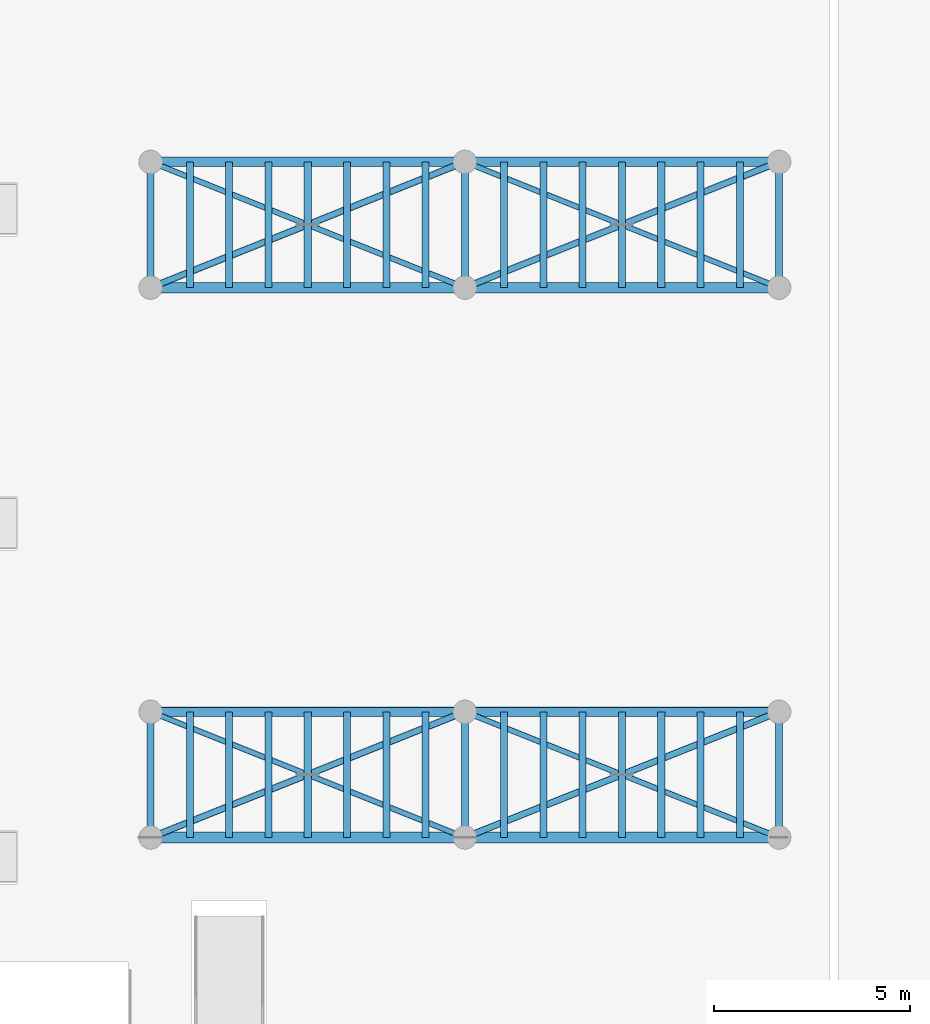
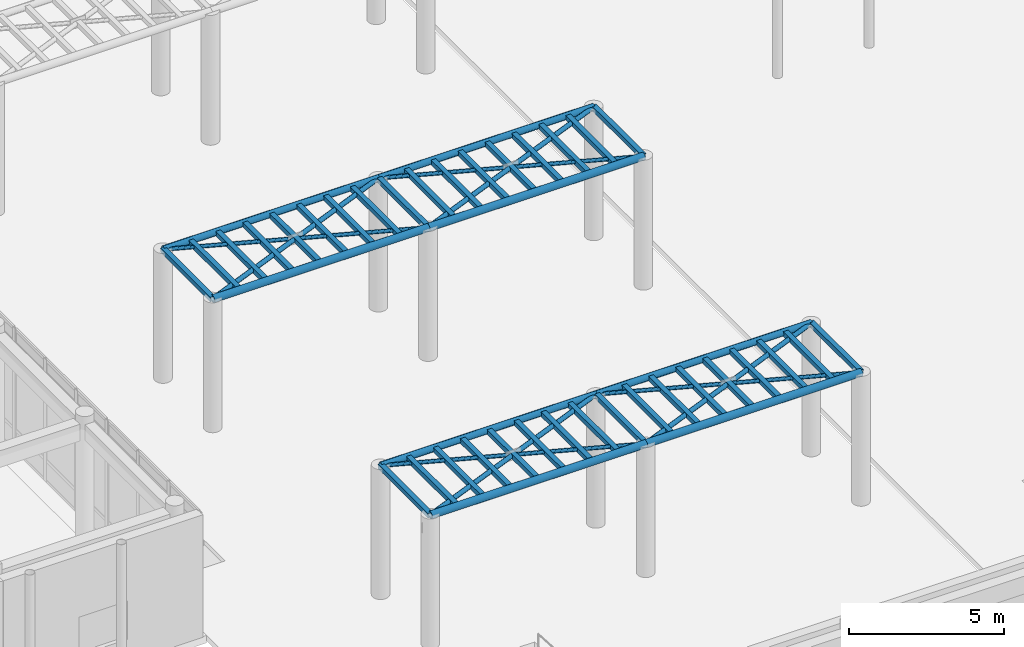
# One storey, part 26 of 121: 54 members.
"""IFC4 building model written with IfcOpenShell, lengths in metres."""

import ifcopenshell
import ifcopenshell.guid

model = None  # the IFC model being written
_history = None  # IfcOwnerHistory: only IFC2X3 demands one
_inside = {}  # id of a spatial element -> (the spatial element, [elements in it])
_under = {}  # id of a project, library or spatial element -> (it, [spatial elements below it])
_declared = {}  # id of a project -> (the project, [libraries it declares])
_typed = {}  # id of a type object -> (the type object, [elements of that type])
_made_of = {}  # id of a material, layer set ... -> (it, [elements and type objects made of it])


def new_model(schema):
    """Start an empty IFC model of exactly this schema.

    Asked for "IFC4X3", IfcOpenShell would pick the latest addendum, in which some entities
    have other attributes; the version numbers below select the first issue.
    IFC2X3 requires an IfcOwnerHistory on every rooted entity: one is made here for all.
    """
    global model, _history
    if schema == "IFC4X3":
        model = ifcopenshell.file(schema_version=(4, 3, 0, 0))
    else:
        model = ifcopenshell.file(schema=schema)
    _inside.clear()
    _under.clear()
    _declared.clear()
    _typed.clear()
    _made_of.clear()
    _history = None
    if model.schema == "IFC2X3":
        org = make("IfcOrganization", Name="unknown")
        user = make(
            "IfcPersonAndOrganization",
            ThePerson=make("IfcPerson", FamilyName="unknown"),
            TheOrganization=org,
        )
        app = make(
            "IfcApplication",
            ApplicationDeveloper=org,
            Version="unknown",
            ApplicationFullName="unknown",
            ApplicationIdentifier="unknown",
        )
        _history = make(
            "IfcOwnerHistory",
            OwningUser=user,
            OwningApplication=app,
            ChangeAction="ADDED",
            CreationDate=0,
        )
    return model


def make(cls, **values):
    """One entity of the class cls with the attributes given. An attribute that is None is left unset."""
    return model.create_entity(
        cls, **{name: value for name, value in values.items() if value is not None}
    )


def rooted(cls, **values):
    """An entity with a GlobalId (a new one), such as an element, a storey or a relation."""
    return make(cls, GlobalId=ifcopenshell.guid.new(), OwnerHistory=_history, **values)


def si_unit(unit_type, name, prefix=None):
    """IfcSIUnit, for example si_unit("LENGTHUNIT", "METRE", prefix="MILLI")."""
    return make("IfcSIUnit", UnitType=unit_type, Prefix=prefix, Name=name)


def assignment(units):
    """IfcUnitAssignment: the units of a project."""
    return None if units is None else make("IfcUnitAssignment", Units=units)


def point(xyz):
    """IfcCartesianPoint."""
    return None if xyz is None else make("IfcCartesianPoint", Coordinates=xyz)


def direction(xyz):
    """IfcDirection."""
    return None if xyz is None else make("IfcDirection", DirectionRatios=xyz)


def frame(location, z_axis=None, x_axis=None):
    """IfcAxis2Placement3D, a coordinate frame: its origin and axes. An axis left out is left unset."""
    return make(
        "IfcAxis2Placement3D",
        Location=point(location),
        Axis=direction(z_axis),
        RefDirection=direction(x_axis),
    )


def frame_2d(location, x_axis=None):
    """IfcAxis2Placement2D, a coordinate frame in the plane: its origin and x axis."""
    return make(
        "IfcAxis2Placement2D", Location=point(location), RefDirection=direction(x_axis)
    )


def origin():
    """The frame at (0, 0, 0) with its axes left unset."""
    return frame((0.0, 0.0, 0.0))


def origin_2d():
    """The frame at (0, 0) in the plane with its x axis left unset."""
    return frame_2d((0.0, 0.0))


def place(relative_to, where):
    """IfcLocalPlacement: puts the frame where relative to a parent placement (None: the world)."""
    return make(
        "IfcLocalPlacement", PlacementRelTo=relative_to, RelativePlacement=where
    )


def context(
    kind, dimensions, precision=None, world=None, true_north=None, identifier=None
):
    """IfcGeometricRepresentationContext, for example the 3D "Model" context."""
    return make(
        "IfcGeometricRepresentationContext",
        ContextIdentifier=identifier,
        ContextType=kind,
        CoordinateSpaceDimension=dimensions,
        Precision=precision,
        WorldCoordinateSystem=world,
        TrueNorth=true_north,
    )


def subcontext(parent, identifier, kind, view, scale=None):
    """IfcGeometricRepresentationSubContext, for example "Body" below "Model"."""
    return make(
        "IfcGeometricRepresentationSubContext",
        ContextIdentifier=identifier,
        ContextType=kind,
        ParentContext=parent,
        TargetScale=scale,
        TargetView=view,
    )


def project(units=None, contexts=None):
    """IfcProject with its units and contexts."""
    return rooted(
        "IfcProject",
        Name="project",
        RepresentationContexts=contexts,
        UnitsInContext=assignment(units),
    )


def spatial(cls, under=None, at=None, **own):
    """A site, building, storey or space (cls), placed at a placement, below another one or the project."""
    s = rooted(cls, ObjectPlacement=at, **own)
    if under is not None:
        _under.setdefault(under.id(), (under, []))[1].append(s)
    return s


def profile(cls, at=None, kind="AREA", **sizes):
    """A parametric profile (cls). Its sizes go by their IFC names, for example OverallWidth=200.0."""
    return make(cls, ProfileType=kind, Position=at, **sizes)


def hollow_rectangle(**sizes):
    """IfcRectangleHollowProfileDef."""
    return profile("IfcRectangleHollowProfileDef", **sizes)


def hollow_circle(**sizes):
    """IfcCircleHollowProfileDef."""
    return profile("IfcCircleHollowProfileDef", **sizes)


def extrude(swept, where, along, depth):
    """IfcExtrudedAreaSolid: the profile swept, set in the frame where, extruded along a direction by depth."""
    return make(
        "IfcExtrudedAreaSolid",
        SweptArea=swept,
        Position=where,
        ExtrudedDirection=direction(along),
        Depth=depth,
    )


def shape(context_of_items, identifier, shape_type, items):
    """IfcShapeRepresentation: the items that make up one representation, for example the "Body"."""
    return make(
        "IfcShapeRepresentation",
        ContextOfItems=context_of_items,
        RepresentationIdentifier=identifier,
        RepresentationType=shape_type,
        Items=items,
    )


def material(Name=None, Category=None):
    """IfcMaterial."""
    return make("IfcMaterial", Name=Name, Category=Category)


def material_profile(
    of_material, cross_section, Name=None, Category=None, Priority=None
):
    """IfcMaterialProfile: a cross section and its material."""
    return make(
        "IfcMaterialProfile",
        Name=Name,
        Material=of_material,
        Profile=cross_section,
        Priority=Priority,
        Category=Category,
    )


def profile_set(profiles, Name=None, composite=None):
    """IfcMaterialProfileSet."""
    return make(
        "IfcMaterialProfileSet",
        Name=Name,
        MaterialProfiles=profiles,
        CompositeProfile=composite,
    )


def made_of(thing, what):
    """Note that an element or type object is made of a material, layer set ...; save() writes the relation."""
    if what is not None:
        _made_of.setdefault(what.id(), (what, []))[1].append(thing)
    return thing


def type_object(cls, material=None, **own):
    """A type object (cls), such as IfcWallType, which elements share."""
    return made_of(rooted(cls, **own), material)


def element(
    cls,
    number,
    at=None,
    inside=None,
    cuts=None,
    type_object=None,
    material=None,
    context=None,
    identifier="Body",
    shape_type=None,
    held_by="IfcProductDefinitionShape",
    body=None,
    shapes=None,
    **own,
):
    """One element of the class cls, such as IfcWall. Its Tag is "e" and its number.

    at: its placement. inside: the storey or other place that contains it. cuts: it is an
    opening in that element (IfcRelVoidsElement). A single representation is given by context,
    identifier, shape_type and body (its items); several are given by shapes. held_by: the class
    of the entity that holds the representations. save() writes the other relations.
    """
    e = rooted(cls, Tag="e%d" % number, ObjectPlacement=at, **own)
    if body is not None:
        shapes = [shape(context, identifier, shape_type, body)]
    if shapes is not None:
        e.Representation = make(held_by, Representations=shapes)
    if inside is not None:
        _inside.setdefault(inside.id(), (inside, []))[1].append(e)
    if cuts is not None:
        rooted(
            "IfcRelVoidsElement", RelatingBuildingElement=cuts, RelatedOpeningElement=e
        )
    if type_object is not None:
        _typed.setdefault(type_object.id(), (type_object, []))[1].append(e)
    return made_of(e, material)


def aggregate(whole, parts):
    """IfcRelAggregates: a whole, such as a stair, and the parts it consists of."""
    return rooted("IfcRelAggregates", RelatingObject=whole, RelatedObjects=parts)


def save(model, path):
    """Write the relations noted so far, then the file.

    IfcRelAggregates (storeys below a building ...), IfcRelContainedInSpatialStructure (elements
    in a storey), IfcRelDefinesByType, IfcRelAssociatesMaterial and IfcRelDeclares: one each for
    every whole, place, type object, material and project.
    """
    for whole, parts in _under.values():
        aggregate(whole, parts)
    for where, things in _inside.values():
        rooted(
            "IfcRelContainedInSpatialStructure",
            RelatedElements=things,
            RelatingStructure=where,
        )
    for kind, things in _typed.values():
        rooted("IfcRelDefinesByType", RelatedObjects=things, RelatingType=kind)
    for what, things in _made_of.values():
        rooted("IfcRelAssociatesMaterial", RelatedObjects=things, RelatingMaterial=what)
    for by, libraries in _declared.values():
        rooted("IfcRelDeclares", RelatingContext=by, RelatedDefinitions=libraries)
    model.write(path)


model = new_model("IFC4")

# Units and contexts
model_context = context("Model", 3, precision=1e-05, world=origin(), true_north=direction((0.0, 1.0)))
body_context = subcontext(model_context, "Body", "Model", "MODEL_VIEW")
ifc_project = project(units=[si_unit("LENGTHUNIT", "METRE"), si_unit("AREAUNIT", "SQUARE_METRE"), si_unit("VOLUMEUNIT", "CUBIC_METRE"), si_unit("PLANEANGLEUNIT", "RADIAN"), si_unit("MASSUNIT", "GRAM", prefix="KILO")], contexts=[model_context])

# Site, building, storey
site_placement = place(None, origin())
site = spatial("IfcSite", under=ifc_project, at=site_placement, CompositionType="ELEMENT")
building_placement = place(site_placement, origin())
building = spatial("IfcBuilding", under=site, at=building_placement, Name="Valcora Specialist Clinic", CompositionType="ELEMENT")
storey_placement = place(building_placement, origin())
storey = spatial("IfcBuildingStorey", under=building, at=storey_placement, Name="L00", CompositionType="ELEMENT", Elevation=0.0)

# Members
ifc_material = material(Name="Steel ASTM A500 Grade C", Category="steel")
ifc_material_profile_1 = material_profile(ifc_material, hollow_circle(Radius=0.1220703125, WallThickness=0.010009765625, at=origin_2d()), Name="ST-CHS-244X10")
ifc_profile_set_1 = profile_set([ifc_material_profile_1], Name="Steel ASTM A500 Grade C")
member_type_1 = type_object("IfcMemberType", Name="TY-MB-GSC244", PredefinedType="CHORD", material=ifc_profile_set_1)
for number, where, z_axis, x_axis, name in (
    (1, (36.0, 37.199951171875, 5.050048828125), (1.0, 0.0, 0.0), (0.0, 1.0, 0.0), "Garden pergola edge chord MB-L00-0789"),
    (2, (44.0, 37.199951171875, 5.050048828125), (1.0, 0.0, 0.0), (0.0, 1.0, 0.0), "Garden pergola edge chord MB-L00-0801"),
    (3, (36.0, 51.199951171875, 5.050048828125), (1.0, 0.0, 0.0), (0.0, 1.0, 0.0), "Garden pergola edge chord MB-L00-0875"),
    (4, (44.0, 51.199951171875, 5.050048828125), (1.0, 0.0, 0.0), (0.0, 1.0, 0.0), "Garden pergola edge chord MB-L00-0887"),
):
    element("IfcMember", number, at=place(storey_placement, frame(where, z_axis=z_axis, x_axis=x_axis)), inside=storey, type_object=member_type_1, Name=name, PredefinedType="CHORD", context=body_context, shape_type="SweptSolid", body=[
        extrude(hollow_circle(Radius=0.1220703125, WallThickness=0.010009765625, at=origin_2d()), origin(), (0.0, 0.0, 1.0), 8.0),
    ])
ifc_material_profile_2 = material_profile(ifc_material, hollow_circle(Radius=0.136474609375, WallThickness=0.011962890625, at=origin_2d()), Name="ST-CHS-273X12")
ifc_profile_set_2 = profile_set([ifc_material_profile_2], Name="Steel ASTM A500 Grade C")
member_type_2 = type_object("IfcMemberType", Name="TY-MB-GSC273", PredefinedType="CHORD", material=ifc_profile_set_2)
for number, where, z_axis, x_axis, name in (
    (5, (36.0, 34.0, 5.050048828125), (1.0, 0.0, 0.0), (0.0, 1.0, 0.0), "Garden pergola main chord MB-L00-0788"),
    (6, (44.0, 34.0, 5.050048828125), (1.0, 0.0, 0.0), (0.0, 1.0, 0.0), "Garden pergola main chord MB-L00-0800"),
    (7, (36.0, 48.0, 5.050048828125), (1.0, 0.0, 0.0), (0.0, 1.0, 0.0), "Garden pergola main chord MB-L00-0874"),
    (8, (44.0, 48.0, 5.050048828125), (1.0, 0.0, 0.0), (0.0, 1.0, 0.0), "Garden pergola main chord MB-L00-0886"),
):
    element("IfcMember", number, at=place(storey_placement, frame(where, z_axis=z_axis, x_axis=x_axis)), inside=storey, type_object=member_type_2, Name=name, PredefinedType="CHORD", context=body_context, shape_type="SweptSolid", body=[
        extrude(hollow_circle(Radius=0.136474609375, WallThickness=0.011962890625, at=origin_2d()), origin(), (0.0, 0.0, 1.0), 8.0),
    ])
ifc_material_profile_3 = material_profile(ifc_material, hollow_circle(Radius=0.070068359375, WallThickness=0.006103515625, at=origin_2d()), Name="ST-CHS-140X6")
ifc_profile_set_3 = profile_set([ifc_material_profile_3], Name="Steel ASTM A500 Grade C")
member_type_3 = type_object("IfcMemberType", Name="TY-MB-GSD140", PredefinedType="BRACE", material=ifc_profile_set_3)
for number, where, z_axis, x_axis, name in (
    (9, (36.0, 37.199951171875, 5.050048828125), (0.92848841534, -0.371361363875, 0.0), (0.371361363875, 0.92848841534, 0.0), "Garden pergola split counter brace A MB-L00-0791"),
    (10, (44.0, 37.199951171875, 5.050048828125), (0.92848841534, -0.371361363875, 0.0), (0.371361363875, 0.92848841534, 0.0), "Garden pergola split counter brace A MB-L00-0803"),
    (11, (36.0, 51.199951171875, 5.050048828125), (0.92848841534, -0.371361363875, 0.0), (0.371361363875, 0.92848841534, 0.0), "Garden pergola split counter brace A MB-L00-0877"),
    (12, (44.0, 51.199951171875, 5.050048828125), (0.92848841534, -0.371361363875, 0.0), (0.371361363875, 0.92848841534, 0.0), "Garden pergola split counter brace A MB-L00-0889"),
    (13, (40.0, 35.60009765625, 5.050048828125), (0.928468874232, -0.37141021739, 0.0), (0.37141021739, 0.928468874232, 0.0), "Garden pergola split counter brace B 169"),
    (14, (48.0, 35.60009765625, 5.050048828125), (0.928468874232, -0.37141021739, 0.0), (0.37141021739, 0.928468874232, 0.0), "Garden pergola split counter brace B 170"),
    (15, (40.0, 49.60009765625, 5.050048828125), (0.928468874232, -0.37141021739, 0.0), (0.37141021739, 0.928468874232, 0.0), "Garden pergola split counter brace B 176"),
    (16, (48.0, 49.60009765625, 5.050048828125), (0.928468874232, -0.37141021739, 0.0), (0.37141021739, 0.928468874232, 0.0), "Garden pergola split counter brace B 177"),
):
    element("IfcMember", number, at=place(storey_placement, frame(where, z_axis=z_axis, x_axis=x_axis)), inside=storey, type_object=member_type_3, Name=name, PredefinedType="BRACE", context=body_context, shape_type="SweptSolid", body=[
        extrude(hollow_circle(Radius=0.070068359375, WallThickness=0.006103515625, at=origin_2d()), origin(), (0.0, 0.0, 1.0), 4.30810546875),
    ])
ifc_material_profile_4 = material_profile(ifc_material, hollow_circle(Radius=0.083984375, WallThickness=0.008056640625, at=origin_2d()), Name="ST-CHS-168X8")
ifc_profile_set_4 = profile_set([ifc_material_profile_4], Name="Steel ASTM A500 Grade C")
member_type_4 = type_object("IfcMemberType", Name="TY-MB-GSD168", PredefinedType="BRACE", material=ifc_profile_set_4)
for number, where, z_axis, x_axis, name in (
    (17, (36.0, 34.0, 5.050048828125), (0.928478645005, 0.371385791018, 0.0), (-0.371385791018, 0.928478645005, 0.0), "Garden pergola plan brace MB-L00-0790"),
    (18, (44.0, 34.0, 5.050048828125), (0.928478645005, 0.371385791018, 0.0), (-0.371385791018, 0.928478645005, 0.0), "Garden pergola plan brace MB-L00-0802"),
    (19, (36.0, 48.0, 5.050048828125), (0.928478645005, 0.371385791018, 0.0), (-0.371385791018, 0.928478645005, 0.0), "Garden pergola plan brace MB-L00-0876"),
    (20, (44.0, 48.0, 5.050048828125), (0.928478645005, 0.371385791018, 0.0), (-0.371385791018, 0.928478645005, 0.0), "Garden pergola plan brace MB-L00-0888"),
):
    element("IfcMember", number, at=place(storey_placement, frame(where, z_axis=z_axis, x_axis=x_axis)), inside=storey, type_object=member_type_4, Name=name, PredefinedType="BRACE", context=body_context, shape_type="SweptSolid", body=[
        extrude(hollow_circle(Radius=0.083984375, WallThickness=0.008056640625, at=origin_2d()), origin(), (0.0, 0.0, 1.0), 8.6162109375),
    ])
ifc_material_profile_5 = material_profile(ifc_material, hollow_rectangle(XDim=0.179931640625, YDim=0.179931640625, WallThickness=0.008056640625, at=origin_2d()), Name="ST-RHS-180X180X8")
ifc_profile_set_5 = profile_set([ifc_material_profile_5], Name="Steel ASTM A500 Grade C")
member_type_5 = type_object("IfcMemberType", Name="TY-MB-PR180", PredefinedType="PURLIN", material=ifc_profile_set_5)
for number, where, z_axis, x_axis, name in (
    (21, (36.0, 34.0, 5.050048828125), (0.0, 1.0, 0.0), (-1.0, 0.0, 0.0), "Garden pergola purlin MB-L00-0792"),
    (22, (37.0, 34.0, 5.050048828125), (0.0, 1.0, 0.0), (-1.0, 0.0, 0.0), "Garden pergola purlin MB-L00-0793"),
    (23, (38.0, 34.0, 5.050048828125), (0.0, 1.0, 0.0), (-1.0, 0.0, 0.0), "Garden pergola purlin MB-L00-0794"),
    (24, (39.0, 34.0, 5.050048828125), (0.0, 1.0, 0.0), (-1.0, 0.0, 0.0), "Garden pergola purlin MB-L00-0795"),
    (25, (40.0, 34.0, 5.050048828125), (0.0, 1.0, 0.0), (-1.0, 0.0, 0.0), "Garden pergola purlin MB-L00-0796"),
    (26, (41.0, 34.0, 5.050048828125), (0.0, 1.0, 0.0), (-1.0, 0.0, 0.0), "Garden pergola purlin MB-L00-0797"),
    (27, (42.0, 34.0, 5.050048828125), (0.0, 1.0, 0.0), (-1.0, 0.0, 0.0), "Garden pergola purlin MB-L00-0798"),
    (28, (43.0, 34.0, 5.050048828125), (0.0, 1.0, 0.0), (-1.0, 0.0, 0.0), "Garden pergola purlin MB-L00-0799"),
    (29, (44.0, 34.0, 5.050048828125), (0.0, 1.0, 0.0), (-1.0, 0.0, 0.0), "Garden pergola purlin MB-L00-0804"),
    (30, (45.0, 34.0, 5.050048828125), (0.0, 1.0, 0.0), (-1.0, 0.0, 0.0), "Garden pergola purlin MB-L00-0805"),
    (31, (46.0, 34.0, 5.050048828125), (0.0, 1.0, 0.0), (-1.0, 0.0, 0.0), "Garden pergola purlin MB-L00-0806"),
    (32, (47.0, 34.0, 5.050048828125), (0.0, 1.0, 0.0), (-1.0, 0.0, 0.0), "Garden pergola purlin MB-L00-0807"),
    (33, (48.0, 34.0, 5.050048828125), (0.0, 1.0, 0.0), (-1.0, 0.0, 0.0), "Garden pergola purlin MB-L00-0808"),
    (34, (49.0, 34.0, 5.050048828125), (0.0, 1.0, 0.0), (-1.0, 0.0, 0.0), "Garden pergola purlin MB-L00-0809"),
    (35, (50.0, 34.0, 5.050048828125), (0.0, 1.0, 0.0), (-1.0, 0.0, 0.0), "Garden pergola purlin MB-L00-0810"),
    (36, (51.0, 34.0, 5.050048828125), (0.0, 1.0, 0.0), (-1.0, 0.0, 0.0), "Garden pergola purlin MB-L00-0811"),
    (37, (52.0, 34.0, 5.050048828125), (0.0, 1.0, 0.0), (-1.0, 0.0, 0.0), "Garden pergola purlin MB-L00-0812"),
    (38, (36.0, 48.0, 5.050048828125), (0.0, 1.0, 0.0), (-1.0, 0.0, 0.0), "Garden pergola purlin MB-L00-0878"),
    (39, (37.0, 48.0, 5.050048828125), (0.0, 1.0, 0.0), (-1.0, 0.0, 0.0), "Garden pergola purlin MB-L00-0879"),
    (40, (38.0, 48.0, 5.050048828125), (0.0, 1.0, 0.0), (-1.0, 0.0, 0.0), "Garden pergola purlin MB-L00-0880"),
    (41, (39.0, 48.0, 5.050048828125), (0.0, 1.0, 0.0), (-1.0, 0.0, 0.0), "Garden pergola purlin MB-L00-0881"),
    (42, (40.0, 48.0, 5.050048828125), (0.0, 1.0, 0.0), (-1.0, 0.0, 0.0), "Garden pergola purlin MB-L00-0882"),
    (43, (41.0, 48.0, 5.050048828125), (0.0, 1.0, 0.0), (-1.0, 0.0, 0.0), "Garden pergola purlin MB-L00-0883"),
    (44, (42.0, 48.0, 5.050048828125), (0.0, 1.0, 0.0), (-1.0, 0.0, 0.0), "Garden pergola purlin MB-L00-0884"),
    (45, (43.0, 48.0, 5.050048828125), (0.0, 1.0, 0.0), (-1.0, 0.0, 0.0), "Garden pergola purlin MB-L00-0885"),
    (46, (44.0, 48.0, 5.050048828125), (0.0, 1.0, 0.0), (-1.0, 0.0, 0.0), "Garden pergola purlin MB-L00-0890"),
    (47, (45.0, 48.0, 5.050048828125), (0.0, 1.0, 0.0), (-1.0, 0.0, 0.0), "Garden pergola purlin MB-L00-0891"),
    (48, (46.0, 48.0, 5.050048828125), (0.0, 1.0, 0.0), (-1.0, 0.0, 0.0), "Garden pergola purlin MB-L00-0892"),
    (49, (47.0, 48.0, 5.050048828125), (0.0, 1.0, 0.0), (-1.0, 0.0, 0.0), "Garden pergola purlin MB-L00-0893"),
    (50, (48.0, 48.0, 5.050048828125), (0.0, 1.0, 0.0), (-1.0, 0.0, 0.0), "Garden pergola purlin MB-L00-0894"),
    (51, (49.0, 48.0, 5.050048828125), (0.0, 1.0, 0.0), (-1.0, 0.0, 0.0), "Garden pergola purlin MB-L00-0895"),
    (52, (50.0, 48.0, 5.050048828125), (0.0, 1.0, 0.0), (-1.0, 0.0, 0.0), "Garden pergola purlin MB-L00-0896"),
    (53, (51.0, 48.0, 5.050048828125), (0.0, 1.0, 0.0), (-1.0, 0.0, 0.0), "Garden pergola purlin MB-L00-0897"),
    (54, (52.0, 48.0, 5.050048828125), (0.0, 1.0, 0.0), (-1.0, 0.0, 0.0), "Garden pergola purlin MB-L00-0898"),
):
    element("IfcMember", number, at=place(storey_placement, frame(where, z_axis=z_axis, x_axis=x_axis)), inside=storey, type_object=member_type_5, Name=name, PredefinedType="PURLIN", context=body_context, shape_type="SweptSolid", body=[
        extrude(hollow_rectangle(XDim=0.179931640625, YDim=0.179931640625, WallThickness=0.008056640625, at=origin_2d()), origin(), (0.0, 0.0, 1.0), 3.199951171875),
    ])

save(model, "model.ifc")
